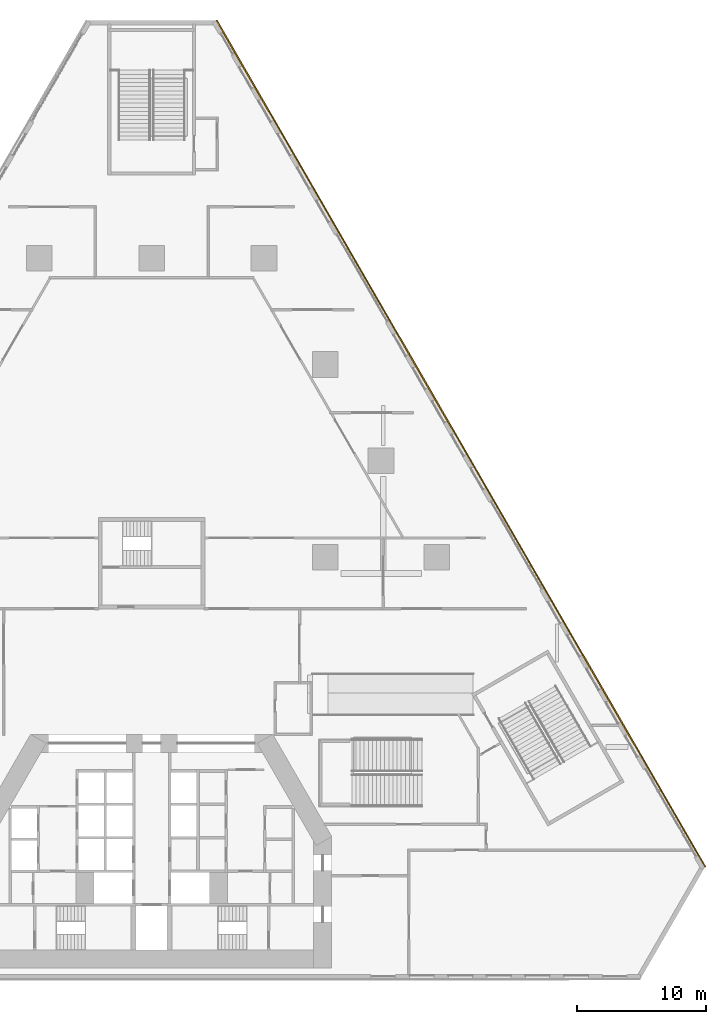
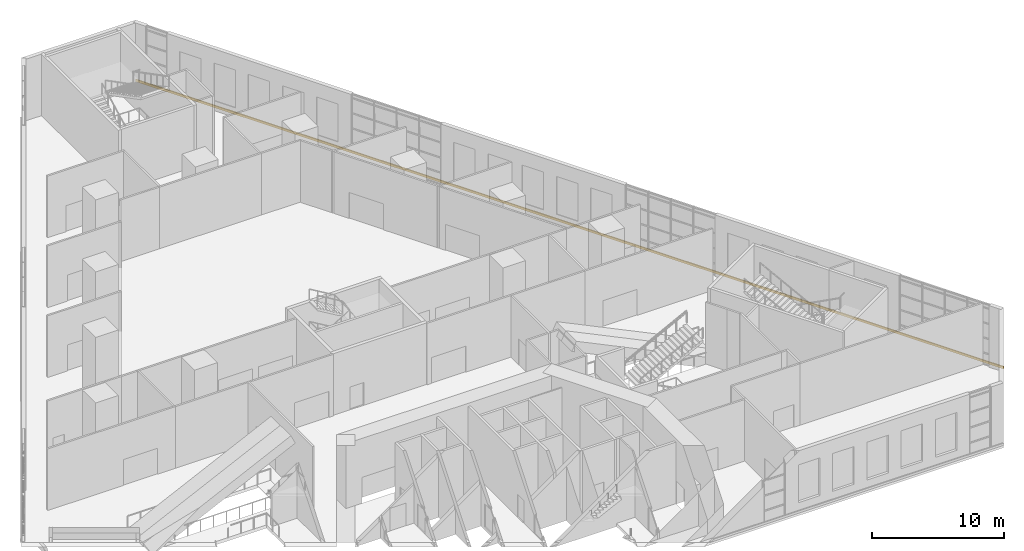
# One storey, part 25 of 27: 1 covering.
"""IFC4 building model written with IfcOpenShell, lengths in metres."""

from ifc_helpers import new_model, si_unit, direction, frame, origin, place, context, subcontext, project, spatial, polyline, outline, extrude, material, type_object, element, save


model = new_model("IFC4")

# Units and contexts
model_context = context("Model", 3, precision=1e-05, world=origin(), true_north=direction((0.0, 1.0)))
body_context = subcontext(model_context, "Body", "Model", "MODEL_VIEW")
ifc_project = project(units=[si_unit("LENGTHUNIT", "METRE"), si_unit("AREAUNIT", "SQUARE_METRE"), si_unit("VOLUMEUNIT", "CUBIC_METRE"), si_unit("PLANEANGLEUNIT", "RADIAN"), si_unit("MASSUNIT", "GRAM", prefix="KILO")], contexts=[model_context])

# Site, building, storey
site_placement = place(None, origin())
site = spatial("IfcSite", under=ifc_project, at=site_placement, CompositionType="ELEMENT")
building_placement = place(site_placement, origin())
building = spatial("IfcBuilding", under=site, at=building_placement, Name="Fogline Exchange Tower", CompositionType="ELEMENT")
storey_placement = place(building_placement, frame((0.0, 0.0, 8.0)))
storey = spatial("IfcBuildingStorey", under=building, at=storey_placement, Name="L01", CompositionType="ELEMENT", Elevation=8.0)

# Covering
ifc_material = material(Name="Brick masonry", Category="masonry")
covering_type = type_object("IfcCoveringType", Name="SB1", PredefinedType="CLADDING", material=ifc_material)
covering_placement = place(storey_placement, origin())
element("IfcCovering", 1, at=covering_placement, inside=storey, type_object=covering_type, Name="Stringcourse band L01 E", PredefinedType="CLADDING", context=body_context, shape_type="SweptSolid", body=[
    extrude(outline(polyline([(43.0, 8.660400390625), (43.086669921875, 8.710205078125), (5.086669921875, 74.5283203125), (5.0, 74.478271484375), (43.0, 8.660400390625)])), origin(), (0.0, 0.0, 1.0), 0.199951171875),
])

save(model, "model.ifc")
